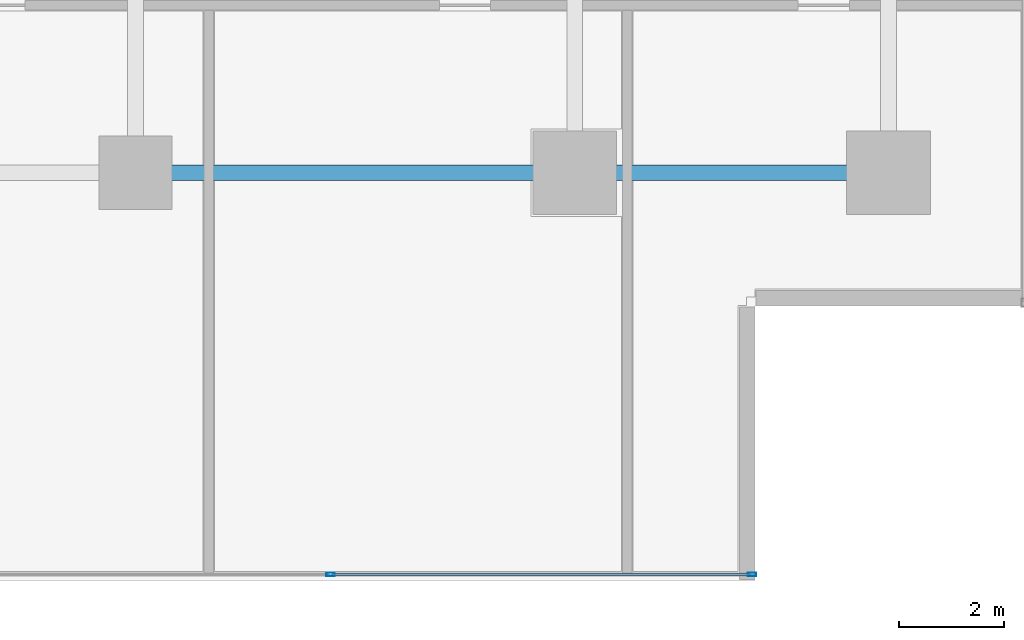
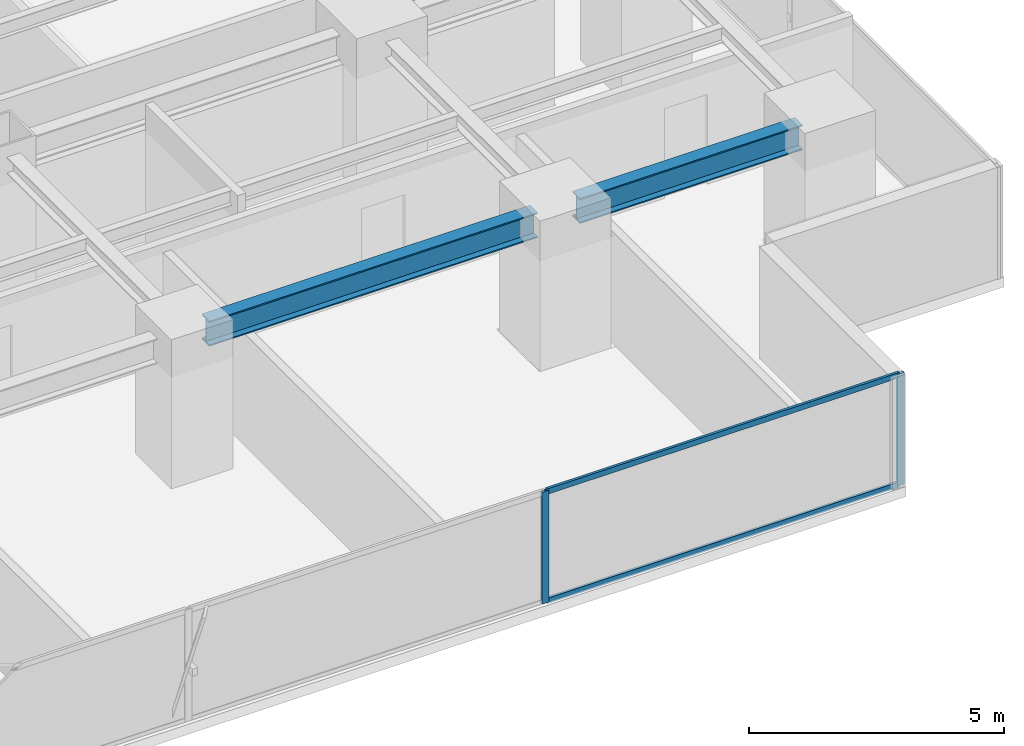
# One storey, part 12 of 36: 4 members, 2 beams, 1 element without a shape of its own.
"""IFC4 building model written with IfcOpenShell, lengths in metres."""

from ifc_helpers import new_model, si_unit, direction, frame, origin, origin_2d, place, context, subcontext, project, spatial, hollow_rectangle, i_section, extrude, source, transform, mapped, material, layer, layer_set, material_profile, profile_set, type_object, element, aggregate, save


model = new_model("IFC4")

# Units and contexts
model_context = context("Model", 3, precision=1e-05, world=origin(), true_north=direction((0.0, 1.0)))
body_context = subcontext(model_context, "Body", "Model", "MODEL_VIEW")
ifc_project = project(units=[si_unit("LENGTHUNIT", "METRE"), si_unit("AREAUNIT", "SQUARE_METRE"), si_unit("VOLUMEUNIT", "CUBIC_METRE"), si_unit("PLANEANGLEUNIT", "RADIAN"), si_unit("MASSUNIT", "GRAM", prefix="KILO")], contexts=[model_context])

# Site, building, storey
site_placement = place(None, origin())
site = spatial("IfcSite", under=ifc_project, at=site_placement, CompositionType="ELEMENT")
building_placement = place(site_placement, origin())
building = spatial("IfcBuilding", under=site, at=building_placement, Name="Sumidabori Civic Tower", CompositionType="ELEMENT")
storey_placement = place(building_placement, frame((0.0, 0.0, 120.800048828125)))
storey = spatial("IfcBuildingStorey", under=building, at=storey_placement, Name="L31", CompositionType="ELEMENT", Elevation=120.800048828125)

# Beams
ifc_material_1 = material(Name="Steel SN490", Category="steel")
ifc_material_profile_1 = material_profile(ifc_material_1, i_section(OverallWidth=0.300048828125, OverallDepth=0.60009765625, WebThickness=0.015380859375, FlangeThickness=0.030029296875, at=origin_2d()), Name="HE 600 B")
ifc_profile_set_1 = profile_set([ifc_material_profile_1], Name="Steel SN490")
beam_type = type_object("IfcBeamType", Name="BM-GIRD-600", PredefinedType="BEAM", material=ifc_profile_set_1)
shared_shape_1 = source(origin(), body_context, "Body", "SweptSolid", [
    extrude(i_section(OverallWidth=0.300048828125, OverallDepth=0.60009765625, WebThickness=0.015380859375, FlangeThickness=0.030029296875, at=origin_2d()), origin(), (0.0, 0.0, 1.0), 5.0400390625),
])
beam_1_placement = place(storey_placement, frame((17.280029296875, -18.0, 3.0), z_axis=(1.0, 0.0, 0.0), x_axis=(0.0, 1.0, 0.0)))
element("IfcBeam", 1, at=beam_1_placement, inside=storey, type_object=beam_type, Name="Primary Girder L31 GX-06", PredefinedType="BEAM", context=body_context, shape_type="MappedRepresentation", body=[
    mapped(shared_shape_1, transform((0.0, 0.0, 0.0), x_axis=(1.0, 0.0, 0.0), y_axis=(0.0, 1.0, 0.0), z_axis=(0.0, 0.0, 1.0), scale=1.0)),
])
shared_shape_2 = source(origin(), body_context, "Body", "SweptSolid", [
    extrude(i_section(OverallWidth=0.300048828125, OverallDepth=0.60009765625, WebThickness=0.015380859375, FlangeThickness=0.030029296875, at=origin_2d()), origin(), (0.0, 0.0, 1.0), 7.440185546875),
])
beam_2_placement = place(storey_placement, frame((8.8798828125, -18.0, 3.0), z_axis=(1.0, 0.0, 0.0), x_axis=(0.0, 1.0, 0.0)))
element("IfcBeam", 2, at=beam_2_placement, inside=storey, type_object=beam_type, Name="Primary Girder L31 GX-05", PredefinedType="BEAM", context=body_context, shape_type="MappedRepresentation", body=[
    mapped(shared_shape_2, transform((0.0, 0.0, 0.0), x_axis=(1.0, 0.0, 0.0), y_axis=(0.0, 1.0, 0.0), z_axis=(0.0, 0.0, 1.0), scale=1.0)),
])

# Curtain wall, members
ifc_material_2 = material(Name="Anodised Bronze Aluminium AW-6063-T6", Category="aluminium")
ifc_layer = layer(ifc_material_2, 0.179931640625, Name="Anodised Bronze Aluminium AW-6063-T6")
ifc_layer_set = layer_set([ifc_layer], Name="Anodised Bronze Aluminium AW-6063-T6")
curtain_wall_type = type_object("IfcCurtainWallType", Name="CW-SYS-3", PredefinedType="NOTDEFINED", material=ifc_layer_set)
curtain_wall_placement = place(storey_placement, origin())
curtain_wall = element("IfcCurtainWall", 3, at=curtain_wall_placement, inside=storey, type_object=curtain_wall_type, Name="Curtain Wall CW:L31:R01", PredefinedType="NOTDEFINED")
ifc_material_profile_2 = material_profile(ifc_material_2, hollow_rectangle(XDim=0.06005859375, YDim=0.1298828125, WallThickness=0.0048828125, at=origin_2d()), Name="ALU TRANSOM 130x60")
ifc_profile_set_2 = profile_set([ifc_material_profile_2], Name="Anodised Bronze Aluminium AW-6063-T6")
member_type_1 = type_object("IfcMemberType", Name="CW-TRN-130", PredefinedType="USERDEFINED", material=ifc_profile_set_2)
shared_shape_3 = source(origin(), body_context, "Body", "SweptSolid", [
    extrude(hollow_rectangle(XDim=0.06005859375, YDim=0.1298828125, WallThickness=0.0048828125, at=origin_2d()), origin(), (0.0, 0.0, 1.0), 7.990478515625),
])
member_1_placement = place(storey_placement, frame((12.16455078125, -25.679931640625, 0.030029296875), z_axis=(1.0, 0.0, 0.0), x_axis=(0.0, 1.0, 0.0)))
member_1 = element("IfcMember", 4, at=member_1_placement, type_object=member_type_1, Name="CW-3 transom 5.1", ObjectType="TRANSOM", PredefinedType="USERDEFINED", context=body_context, shape_type="MappedRepresentation", body=[
    mapped(shared_shape_3, transform((0.0, 0.0, 0.0), x_axis=(1.0, 0.0, 0.0), y_axis=(0.0, 1.0, 0.0), z_axis=(0.0, 0.0, 1.0), scale=1.0)),
])
member_2_placement = place(storey_placement, frame((12.16455078125, -25.679931640625, 2.64990234375), z_axis=(1.0, 0.0, 0.0), x_axis=(0.0, 1.0, 0.0)))
member_2 = element("IfcMember", 5, at=member_2_placement, type_object=member_type_1, Name="CW-3 transom 5.2", ObjectType="TRANSOM", PredefinedType="USERDEFINED", context=body_context, shape_type="MappedRepresentation", body=[
    mapped(shared_shape_3, transform((0.0, 0.0, 0.0), x_axis=(1.0, 0.0, 0.0), y_axis=(0.0, 1.0, 0.0), z_axis=(0.0, 0.0, 1.0), scale=1.0)),
])
ifc_material_profile_3 = material_profile(ifc_material_2, hollow_rectangle(XDim=0.06494140625, YDim=0.159912109375, WallThickness=0.0048828125, at=origin_2d()), Name="ALU MULLION 160x65")
ifc_profile_set_3 = profile_set([ifc_material_profile_3], Name="Anodised Bronze Aluminium AW-6063-T6")
member_type_2 = type_object("IfcMemberType", Name="CW-MUL-160", PredefinedType="MULLION", material=ifc_profile_set_3)
shared_shape_4 = source(origin(), body_context, "Body", "SweptSolid", [
    extrude(hollow_rectangle(XDim=0.06494140625, YDim=0.159912109375, WallThickness=0.0048828125, at=origin_2d()), origin(), (0.0, 0.0, 1.0), 2.679931640625),
])
member_3_placement = place(storey_placement, frame((12.132080078125, -25.679931640625, 0.0), z_axis=(0.0, 0.0, 1.0), x_axis=(0.0, 1.0, 0.0)))
member_3 = element("IfcMember", 6, at=member_3_placement, type_object=member_type_2, Name="CW-3 mullion 5", PredefinedType="MULLION", context=body_context, shape_type="MappedRepresentation", body=[
    mapped(shared_shape_4, transform((0.0, 0.0, 0.0), x_axis=(1.0, 0.0, 0.0), y_axis=(0.0, 1.0, 0.0), z_axis=(0.0, 0.0, 1.0), scale=1.0)),
])
member_4_placement = place(storey_placement, frame((20.1875, -25.679931640625, 0.0), z_axis=(0.0, 0.0, 1.0), x_axis=(0.0, 1.0, 0.0)))
member_4 = element("IfcMember", 7, at=member_4_placement, type_object=member_type_2, Name="CW-3 mullion 6", PredefinedType="MULLION", context=body_context, shape_type="MappedRepresentation", body=[
    mapped(shared_shape_4, transform((0.0, 0.0, 0.0), x_axis=(1.0, 0.0, 0.0), y_axis=(0.0, 1.0, 0.0), z_axis=(0.0, 0.0, 1.0), scale=1.0)),
])
aggregate(curtain_wall, [member_3, member_4, member_1, member_2])

save(model, "model.ifc")
